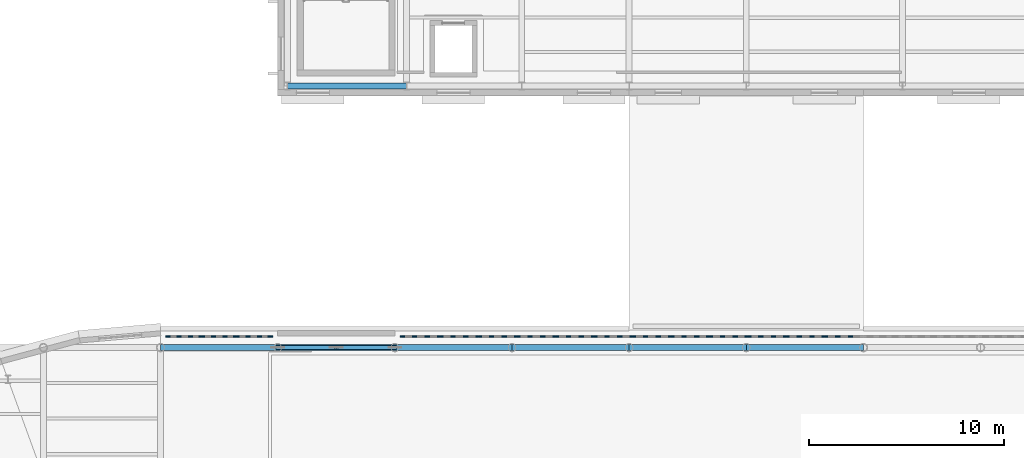
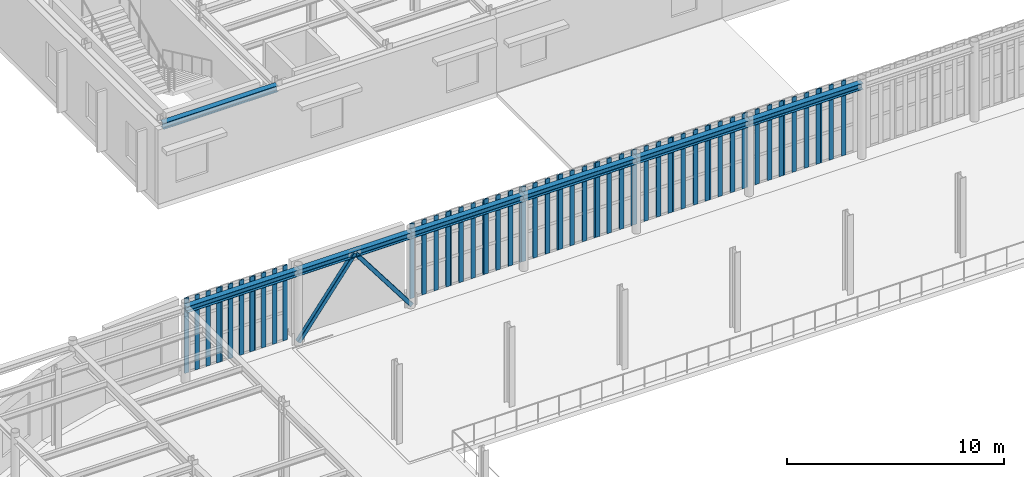
# One storey, part 28 of 91: 61 members, 7 beams, 15 elements without a shape of their own.
"""IFC4 building model written with IfcOpenShell, lengths in metres."""

from ifc_helpers import new_model, si_unit, direction, frame, origin, origin_2d, place, context, subcontext, project, spatial, rectangle, hollow_rectangle, i_section, extrude, material, material_profile, profile_set, type_object, element, aggregate, save


model = new_model("IFC4")

# Units and contexts
model_context = context("Model", 3, precision=1e-05, world=origin(), true_north=direction((0.0, 1.0)))
body_context = subcontext(model_context, "Body", "Model", "MODEL_VIEW")
ifc_project = project(units=[si_unit("LENGTHUNIT", "METRE"), si_unit("AREAUNIT", "SQUARE_METRE"), si_unit("VOLUMEUNIT", "CUBIC_METRE"), si_unit("PLANEANGLEUNIT", "RADIAN"), si_unit("MASSUNIT", "GRAM", prefix="KILO")], contexts=[model_context])

# Site, building, storey
site_placement = place(None, origin())
site = spatial("IfcSite", under=ifc_project, at=site_placement, CompositionType="ELEMENT")
building_placement = place(site_placement, origin())
building = spatial("IfcBuilding", under=site, at=building_placement, Name="Kolvaren Corner Interchange", CompositionType="ELEMENT")
storey_placement = place(building_placement, frame((0.0, 0.0, 6.0)))
storey = spatial("IfcBuildingStorey", under=building, at=storey_placement, Name="L02", CompositionType="ELEMENT", Elevation=6.0)

# Beams
ifc_material_1 = material(Name="Steel S355", Category="steel")
ifc_material_profile_1 = material_profile(ifc_material_1, i_section(OverallWidth=0.300048828125, OverallDepth=0.35009765625, WebThickness=0.010009765625, FlangeThickness=0.017578125, FilletRadius=0.027099609375, at=origin_2d()), Name="HEA 360")
ifc_profile_set_1 = profile_set([ifc_material_profile_1], Name="Steel S355")
beam_type = type_object("IfcBeamType", Name="BM-HEA360", PredefinedType="BEAM", material=ifc_profile_set_1)
for number, where, z_axis, x_axis, name in (
    (1, (60.0, 71.10009765625, 4.074951171875), (1.0, 0.0, 0.0), (0.0, 1.0, 0.0), "Storey L02 Grid X Primary Girder 0591"),
    (2, (66.0, 71.10009765625, 4.074951171875), (1.0, 0.0, 0.0), (0.0, 1.0, 0.0), "Storey L02 Grid X Primary Girder 0592"),
    (3, (72.0, 71.10009765625, 4.074951171875), (1.0, 0.0, 0.0), (0.0, 1.0, 0.0), "Storey L02 Grid X Primary Girder 0593"),
    (4, (78.0, 71.10009765625, 4.074951171875), (1.0, 0.0, 0.0), (0.0, 1.0, 0.0), "Storey L02 Grid X Primary Girder 0594"),
    (5, (84.0, 71.10009765625, 4.074951171875), (1.0, 0.0, 0.0), (0.0, 1.0, 0.0), "Storey L02 Grid X Primary Girder 0595"),
    (6, (90.0, 71.10009765625, 4.074951171875), (1.0, 0.0, 0.0), (0.0, 1.0, 0.0), "Storey L02 Grid X Primary Girder 0596"),
):
    element("IfcBeam", number, at=place(storey_placement, frame(where, z_axis=z_axis, x_axis=x_axis)), inside=storey, type_object=beam_type, Name=name, PredefinedType="BEAM", context=body_context, shape_type="SweptSolid", body=[
        extrude(i_section(OverallWidth=0.300048828125, OverallDepth=0.35009765625, WebThickness=0.010009765625, FlangeThickness=0.017578125, FilletRadius=0.027099609375, at=origin_2d()), origin(), (0.0, 0.0, 1.0), 6.0),
    ])
beam_placement = place(storey_placement, frame((66.5, 84.5, 4.0048828125), z_axis=(1.0, 0.0, 0.0), x_axis=(0.0, 1.0, 0.0)))
element("IfcBeam", 7, at=beam_placement, inside=storey, type_object=beam_type, Name="Storey L02 Grid X Primary Girder 0707", PredefinedType="BEAM", context=body_context, shape_type="SweptSolid", body=[
    extrude(i_section(OverallWidth=0.300048828125, OverallDepth=0.35009765625, WebThickness=0.010009765625, FlangeThickness=0.017578125, FilletRadius=0.027099609375, at=origin_2d()), origin(), (0.0, 0.0, 1.0), 6.10009765625),
])

# Members
ifc_material_2 = material(Name="Steel S355", Category="steel")
ifc_material_profile_2 = material_profile(ifc_material_2, hollow_rectangle(XDim=0.219970703125, YDim=0.219970703125, WallThickness=0.012451171875, InnerFilletRadius=0.012451171875, OuterFilletRadius=0.02490234375, at=origin_2d()), Name="SHS 220x220x12.5")
ifc_profile_set_2 = profile_set([ifc_material_profile_2], Name="Steel S355")
member_type_1 = type_object("IfcMemberType", Name="MEM-BR-SHS220", PredefinedType="BRACE", material=ifc_profile_set_2)
for number, where, z_axis, x_axis, name in (
    (8, (66.0, 71.10009765625, 0.1201171875), (0.604358493193, 0.0, 0.796712502541), (0.0, 1.0, 0.0), "Storey L02 Lateral Chevron Steel Brace 13 Left"),
    (9, (72.0, 71.10009765625, 0.1201171875), (-0.604358493193, 0.0, 0.796712502541), (0.0, -1.0, 0.0), "Storey L02 Lateral Chevron Steel Brace 13 Right"),
):
    element("IfcMember", number, at=place(storey_placement, frame(where, z_axis=z_axis, x_axis=x_axis)), inside=storey, type_object=member_type_1, Name=name, PredefinedType="BRACE", context=body_context, shape_type="SweptSolid", body=[
        extrude(hollow_rectangle(XDim=0.219970703125, YDim=0.219970703125, WallThickness=0.012451171875, InnerFilletRadius=0.012451171875, OuterFilletRadius=0.02490234375, at=origin_2d()), origin(), (0.0, 0.0, 1.0), 4.9638671875),
    ])

# Curtain wall, members
ifc_material_3 = material(Name="Unitised Aluminium and Solar-Control Glass Curtain Wall", Category="aluminium")
curtain_wall_type = type_object("IfcCurtainWallType", Name="CW-V1-NORTH", PredefinedType="NOTDEFINED", material=ifc_material_3)
curtain_wall_1_placement = place(storey_placement, origin())
curtain_wall_1 = element("IfcCurtainWall", 10, at=curtain_wall_1_placement, inside=storey, type_object=curtain_wall_type, Name="North Concourse West Curtain Wall Bay 01", PredefinedType="NOTDEFINED")
ifc_material_4 = material(Name="Anodised Aluminium Framing", Category="aluminium")
ifc_material_profile_3 = material_profile(ifc_material_4, rectangle(XDim=0.070068359375, YDim=0.239990234375, at=origin_2d()), Name="ALU 70x240")
ifc_profile_set_3 = profile_set([ifc_material_profile_3], Name="Anodised Aluminium Framing")
member_type_2 = type_object("IfcMemberType", Name="MUL-ALU70x240", PredefinedType="MULLION", material=ifc_profile_set_3)
member_1_placement = place(storey_placement, frame((65.614990234375, 71.659912109375, 0.0), z_axis=(0.0, 0.0, 1.0), x_axis=(0.0, -1.0, 0.0)))
member_1 = element("IfcMember", 11, at=member_1_placement, type_object=member_type_2, Name="CW-055 mullion 1", PredefinedType="MULLION", context=body_context, shape_type="SweptSolid", body=[
    extrude(rectangle(XDim=0.070068359375, YDim=0.239990234375, at=origin_2d()), origin(), (0.0, 0.0, 1.0), 4.219970703125),
])
member_2_placement = place(storey_placement, frame((65.06103515625, 71.659912109375, 0.0), z_axis=(0.0, 0.0, 1.0), x_axis=(0.0, -1.0, 0.0)))
member_2 = element("IfcMember", 12, at=member_2_placement, type_object=member_type_2, Name="CW-055 mullion 2", PredefinedType="MULLION", context=body_context, shape_type="SweptSolid", body=[
    extrude(rectangle(XDim=0.070068359375, YDim=0.239990234375, at=origin_2d()), origin(), (0.0, 0.0, 1.0), 4.219970703125),
])
member_3_placement = place(storey_placement, frame((64.47216796875, 71.659912109375, 0.0), z_axis=(0.0, 0.0, 1.0), x_axis=(0.0, -1.0, 0.0)))
member_3 = element("IfcMember", 13, at=member_3_placement, type_object=member_type_2, Name="CW-055 mullion 3", PredefinedType="MULLION", context=body_context, shape_type="SweptSolid", body=[
    extrude(rectangle(XDim=0.070068359375, YDim=0.239990234375, at=origin_2d()), origin(), (0.0, 0.0, 1.0), 4.219970703125),
])
member_4_placement = place(storey_placement, frame((63.918212890625, 71.659912109375, 0.0), z_axis=(0.0, 0.0, 1.0), x_axis=(0.0, -1.0, 0.0)))
member_4 = element("IfcMember", 14, at=member_4_placement, type_object=member_type_2, Name="CW-055 mullion 4", PredefinedType="MULLION", context=body_context, shape_type="SweptSolid", body=[
    extrude(rectangle(XDim=0.070068359375, YDim=0.239990234375, at=origin_2d()), origin(), (0.0, 0.0, 1.0), 4.219970703125),
])
aggregate(curtain_wall_1, [member_1, member_2, member_3, member_4])

curtain_wall_2_placement = place(storey_placement, origin())
curtain_wall_2 = element("IfcCurtainWall", 15, at=curtain_wall_2_placement, inside=storey, type_object=curtain_wall_type, Name="North Concourse West Curtain Wall Bay 02", PredefinedType="NOTDEFINED")
member_5_placement = place(storey_placement, frame((63.848388671875, 71.659912109375, 0.0), z_axis=(0.0, 0.0, 1.0), x_axis=(0.0, -1.0, 0.0)))
member_5 = element("IfcMember", 16, at=member_5_placement, type_object=member_type_2, Name="CW-056 mullion 1", PredefinedType="MULLION", context=body_context, shape_type="SweptSolid", body=[
    extrude(rectangle(XDim=0.070068359375, YDim=0.239990234375, at=origin_2d()), origin(), (0.0, 0.0, 1.0), 4.219970703125),
])
member_6_placement = place(storey_placement, frame((63.29443359375, 71.659912109375, 0.0), z_axis=(0.0, 0.0, 1.0), x_axis=(0.0, -1.0, 0.0)))
member_6 = element("IfcMember", 17, at=member_6_placement, type_object=member_type_2, Name="CW-056 mullion 2", PredefinedType="MULLION", context=body_context, shape_type="SweptSolid", body=[
    extrude(rectangle(XDim=0.070068359375, YDim=0.239990234375, at=origin_2d()), origin(), (0.0, 0.0, 1.0), 4.219970703125),
])
member_7_placement = place(storey_placement, frame((62.70556640625, 71.659912109375, 0.0), z_axis=(0.0, 0.0, 1.0), x_axis=(0.0, -1.0, 0.0)))
member_7 = element("IfcMember", 18, at=member_7_placement, type_object=member_type_2, Name="CW-056 mullion 3", PredefinedType="MULLION", context=body_context, shape_type="SweptSolid", body=[
    extrude(rectangle(XDim=0.070068359375, YDim=0.239990234375, at=origin_2d()), origin(), (0.0, 0.0, 1.0), 4.219970703125),
])
member_8_placement = place(storey_placement, frame((62.151611328125, 71.659912109375, 0.0), z_axis=(0.0, 0.0, 1.0), x_axis=(0.0, -1.0, 0.0)))
member_8 = element("IfcMember", 19, at=member_8_placement, type_object=member_type_2, Name="CW-056 mullion 4", PredefinedType="MULLION", context=body_context, shape_type="SweptSolid", body=[
    extrude(rectangle(XDim=0.070068359375, YDim=0.239990234375, at=origin_2d()), origin(), (0.0, 0.0, 1.0), 4.219970703125),
])
aggregate(curtain_wall_2, [member_5, member_6, member_7, member_8])

curtain_wall_3_placement = place(storey_placement, origin())
curtain_wall_3 = element("IfcCurtainWall", 20, at=curtain_wall_3_placement, inside=storey, type_object=curtain_wall_type, Name="North Concourse West Curtain Wall Bay 03", PredefinedType="NOTDEFINED")
member_9_placement = place(storey_placement, frame((62.081787109375, 71.659912109375, 0.0), z_axis=(0.0, 0.0, 1.0), x_axis=(0.0, -1.0, 0.0)))
member_9 = element("IfcMember", 21, at=member_9_placement, type_object=member_type_2, Name="CW-057 mullion 1", PredefinedType="MULLION", context=body_context, shape_type="SweptSolid", body=[
    extrude(rectangle(XDim=0.070068359375, YDim=0.239990234375, at=origin_2d()), origin(), (0.0, 0.0, 1.0), 4.219970703125),
])
member_10_placement = place(storey_placement, frame((61.52783203125, 71.659912109375, 0.0), z_axis=(0.0, 0.0, 1.0), x_axis=(0.0, -1.0, 0.0)))
member_10 = element("IfcMember", 22, at=member_10_placement, type_object=member_type_2, Name="CW-057 mullion 2", PredefinedType="MULLION", context=body_context, shape_type="SweptSolid", body=[
    extrude(rectangle(XDim=0.070068359375, YDim=0.239990234375, at=origin_2d()), origin(), (0.0, 0.0, 1.0), 4.219970703125),
])
member_11_placement = place(storey_placement, frame((60.93896484375, 71.659912109375, 0.0), z_axis=(0.0, 0.0, 1.0), x_axis=(0.0, -1.0, 0.0)))
member_11 = element("IfcMember", 23, at=member_11_placement, type_object=member_type_2, Name="CW-057 mullion 3", PredefinedType="MULLION", context=body_context, shape_type="SweptSolid", body=[
    extrude(rectangle(XDim=0.070068359375, YDim=0.239990234375, at=origin_2d()), origin(), (0.0, 0.0, 1.0), 4.219970703125),
])
member_12_placement = place(storey_placement, frame((60.385009765625, 71.659912109375, 0.0), z_axis=(0.0, 0.0, 1.0), x_axis=(0.0, -1.0, 0.0)))
member_12 = element("IfcMember", 24, at=member_12_placement, type_object=member_type_2, Name="CW-057 mullion 4", PredefinedType="MULLION", context=body_context, shape_type="SweptSolid", body=[
    extrude(rectangle(XDim=0.070068359375, YDim=0.239990234375, at=origin_2d()), origin(), (0.0, 0.0, 1.0), 4.219970703125),
])
aggregate(curtain_wall_3, [member_9, member_10, member_11, member_12])

curtain_wall_4_placement = place(storey_placement, origin())
curtain_wall_4 = element("IfcCurtainWall", 25, at=curtain_wall_4_placement, inside=storey, type_object=curtain_wall_type, Name="North Concourse Gallery Curtain Wall Bay 13", PredefinedType="NOTDEFINED")
member_13_placement = place(storey_placement, frame((95.343017578125, 71.659912109375, 0.0), z_axis=(0.0, 0.0, 1.0), x_axis=(0.0, -1.0, 0.0)))
member_13 = element("IfcMember", 26, at=member_13_placement, type_object=member_type_2, Name="CW-070 mullion 2", PredefinedType="MULLION", context=body_context, shape_type="SweptSolid", body=[
    extrude(rectangle(XDim=0.070068359375, YDim=0.239990234375, at=origin_2d()), origin(), (0.0, 0.0, 1.0), 4.219970703125),
])
member_14_placement = place(storey_placement, frame((94.68603515625, 71.659912109375, 0.0), z_axis=(0.0, 0.0, 1.0), x_axis=(0.0, -1.0, 0.0)))
member_14 = element("IfcMember", 27, at=member_14_placement, type_object=member_type_2, Name="CW-070 mullion 3", PredefinedType="MULLION", context=body_context, shape_type="SweptSolid", body=[
    extrude(rectangle(XDim=0.070068359375, YDim=0.239990234375, at=origin_2d()), origin(), (0.0, 0.0, 1.0), 4.219970703125),
])
member_15_placement = place(storey_placement, frame((94.064208984375, 71.659912109375, 0.0), z_axis=(0.0, 0.0, 1.0), x_axis=(0.0, -1.0, 0.0)))
member_15 = element("IfcMember", 28, at=member_15_placement, type_object=member_type_2, Name="CW-070 mullion 4", PredefinedType="MULLION", context=body_context, shape_type="SweptSolid", body=[
    extrude(rectangle(XDim=0.070068359375, YDim=0.239990234375, at=origin_2d()), origin(), (0.0, 0.0, 1.0), 4.219970703125),
])
aggregate(curtain_wall_4, [member_13, member_14, member_15])

curtain_wall_5_placement = place(storey_placement, origin())
curtain_wall_5 = element("IfcCurtainWall", 29, at=curtain_wall_5_placement, inside=storey, type_object=curtain_wall_type, Name="North Concourse Gallery Curtain Wall Bay 14", PredefinedType="NOTDEFINED")
member_16_placement = place(storey_placement, frame((93.994140625, 71.659912109375, 0.0), z_axis=(0.0, 0.0, 1.0), x_axis=(0.0, -1.0, 0.0)))
member_16 = element("IfcMember", 30, at=member_16_placement, type_object=member_type_2, Name="CW-071 mullion 1", PredefinedType="MULLION", context=body_context, shape_type="SweptSolid", body=[
    extrude(rectangle(XDim=0.070068359375, YDim=0.239990234375, at=origin_2d()), origin(), (0.0, 0.0, 1.0), 4.219970703125),
])
member_17_placement = place(storey_placement, frame((93.372314453125, 71.659912109375, 0.0), z_axis=(0.0, 0.0, 1.0), x_axis=(0.0, -1.0, 0.0)))
member_17 = element("IfcMember", 31, at=member_17_placement, type_object=member_type_2, Name="CW-071 mullion 2", PredefinedType="MULLION", context=body_context, shape_type="SweptSolid", body=[
    extrude(rectangle(XDim=0.070068359375, YDim=0.239990234375, at=origin_2d()), origin(), (0.0, 0.0, 1.0), 4.219970703125),
])
member_18_placement = place(storey_placement, frame((92.71533203125, 71.659912109375, 0.0), z_axis=(0.0, 0.0, 1.0), x_axis=(0.0, -1.0, 0.0)))
member_18 = element("IfcMember", 32, at=member_18_placement, type_object=member_type_2, Name="CW-071 mullion 3", PredefinedType="MULLION", context=body_context, shape_type="SweptSolid", body=[
    extrude(rectangle(XDim=0.070068359375, YDim=0.239990234375, at=origin_2d()), origin(), (0.0, 0.0, 1.0), 4.219970703125),
])
member_19_placement = place(storey_placement, frame((92.09326171875, 71.659912109375, 0.0), z_axis=(0.0, 0.0, 1.0), x_axis=(0.0, -1.0, 0.0)))
member_19 = element("IfcMember", 33, at=member_19_placement, type_object=member_type_2, Name="CW-071 mullion 4", PredefinedType="MULLION", context=body_context, shape_type="SweptSolid", body=[
    extrude(rectangle(XDim=0.070068359375, YDim=0.239990234375, at=origin_2d()), origin(), (0.0, 0.0, 1.0), 4.219970703125),
])
aggregate(curtain_wall_5, [member_16, member_17, member_18, member_19])

curtain_wall_6_placement = place(storey_placement, origin())
curtain_wall_6 = element("IfcCurtainWall", 34, at=curtain_wall_6_placement, inside=storey, type_object=curtain_wall_type, Name="North Concourse Gallery Curtain Wall Bay 15", PredefinedType="NOTDEFINED")
member_20_placement = place(storey_placement, frame((92.023193359375, 71.659912109375, 0.0), z_axis=(0.0, 0.0, 1.0), x_axis=(0.0, -1.0, 0.0)))
member_20 = element("IfcMember", 35, at=member_20_placement, type_object=member_type_2, Name="CW-072 mullion 1", PredefinedType="MULLION", context=body_context, shape_type="SweptSolid", body=[
    extrude(rectangle(XDim=0.070068359375, YDim=0.239990234375, at=origin_2d()), origin(), (0.0, 0.0, 1.0), 4.219970703125),
])
member_21_placement = place(storey_placement, frame((91.4013671875, 71.659912109375, 0.0), z_axis=(0.0, 0.0, 1.0), x_axis=(0.0, -1.0, 0.0)))
member_21 = element("IfcMember", 36, at=member_21_placement, type_object=member_type_2, Name="CW-072 mullion 2", PredefinedType="MULLION", context=body_context, shape_type="SweptSolid", body=[
    extrude(rectangle(XDim=0.070068359375, YDim=0.239990234375, at=origin_2d()), origin(), (0.0, 0.0, 1.0), 4.219970703125),
])
member_22_placement = place(storey_placement, frame((90.744384765625, 71.659912109375, 0.0), z_axis=(0.0, 0.0, 1.0), x_axis=(0.0, -1.0, 0.0)))
member_22 = element("IfcMember", 37, at=member_22_placement, type_object=member_type_2, Name="CW-072 mullion 3", PredefinedType="MULLION", context=body_context, shape_type="SweptSolid", body=[
    extrude(rectangle(XDim=0.070068359375, YDim=0.239990234375, at=origin_2d()), origin(), (0.0, 0.0, 1.0), 4.219970703125),
])
member_23_placement = place(storey_placement, frame((90.12255859375, 71.659912109375, 0.0), z_axis=(0.0, 0.0, 1.0), x_axis=(0.0, -1.0, 0.0)))
member_23 = element("IfcMember", 38, at=member_23_placement, type_object=member_type_2, Name="CW-072 mullion 4", PredefinedType="MULLION", context=body_context, shape_type="SweptSolid", body=[
    extrude(rectangle(XDim=0.070068359375, YDim=0.239990234375, at=origin_2d()), origin(), (0.0, 0.0, 1.0), 4.219970703125),
])
aggregate(curtain_wall_6, [member_20, member_21, member_22, member_23])

curtain_wall_7_placement = place(storey_placement, origin())
curtain_wall_7 = element("IfcCurtainWall", 39, at=curtain_wall_7_placement, inside=storey, type_object=curtain_wall_type, Name="North Concourse Gallery Curtain Wall Bay 16", PredefinedType="NOTDEFINED")
member_24_placement = place(storey_placement, frame((90.052490234375, 71.659912109375, 0.0), z_axis=(0.0, 0.0, 1.0), x_axis=(0.0, -1.0, 0.0)))
member_24 = element("IfcMember", 40, at=member_24_placement, type_object=member_type_2, Name="CW-073 mullion 1", PredefinedType="MULLION", context=body_context, shape_type="SweptSolid", body=[
    extrude(rectangle(XDim=0.070068359375, YDim=0.239990234375, at=origin_2d()), origin(), (0.0, 0.0, 1.0), 4.219970703125),
])
member_25_placement = place(storey_placement, frame((89.4306640625, 71.659912109375, 0.0), z_axis=(0.0, 0.0, 1.0), x_axis=(0.0, -1.0, 0.0)))
member_25 = element("IfcMember", 41, at=member_25_placement, type_object=member_type_2, Name="CW-073 mullion 2", PredefinedType="MULLION", context=body_context, shape_type="SweptSolid", body=[
    extrude(rectangle(XDim=0.070068359375, YDim=0.239990234375, at=origin_2d()), origin(), (0.0, 0.0, 1.0), 4.219970703125),
])
member_26_placement = place(storey_placement, frame((88.773681640625, 71.659912109375, 0.0), z_axis=(0.0, 0.0, 1.0), x_axis=(0.0, -1.0, 0.0)))
member_26 = element("IfcMember", 42, at=member_26_placement, type_object=member_type_2, Name="CW-073 mullion 3", PredefinedType="MULLION", context=body_context, shape_type="SweptSolid", body=[
    extrude(rectangle(XDim=0.070068359375, YDim=0.239990234375, at=origin_2d()), origin(), (0.0, 0.0, 1.0), 4.219970703125),
])
member_27_placement = place(storey_placement, frame((88.151611328125, 71.659912109375, 0.0), z_axis=(0.0, 0.0, 1.0), x_axis=(0.0, -1.0, 0.0)))
member_27 = element("IfcMember", 43, at=member_27_placement, type_object=member_type_2, Name="CW-073 mullion 4", PredefinedType="MULLION", context=body_context, shape_type="SweptSolid", body=[
    extrude(rectangle(XDim=0.070068359375, YDim=0.239990234375, at=origin_2d()), origin(), (0.0, 0.0, 1.0), 4.219970703125),
])
aggregate(curtain_wall_7, [member_24, member_25, member_26, member_27])

curtain_wall_8_placement = place(storey_placement, origin())
curtain_wall_8 = element("IfcCurtainWall", 44, at=curtain_wall_8_placement, inside=storey, type_object=curtain_wall_type, Name="North Concourse Gallery Curtain Wall Bay 17", PredefinedType="NOTDEFINED")
member_28_placement = place(storey_placement, frame((88.081787109375, 71.659912109375, 0.0), z_axis=(0.0, 0.0, 1.0), x_axis=(0.0, -1.0, 0.0)))
member_28 = element("IfcMember", 45, at=member_28_placement, type_object=member_type_2, Name="CW-074 mullion 1", PredefinedType="MULLION", context=body_context, shape_type="SweptSolid", body=[
    extrude(rectangle(XDim=0.070068359375, YDim=0.239990234375, at=origin_2d()), origin(), (0.0, 0.0, 1.0), 4.219970703125),
])
member_29_placement = place(storey_placement, frame((87.459716796875, 71.659912109375, 0.0), z_axis=(0.0, 0.0, 1.0), x_axis=(0.0, -1.0, 0.0)))
member_29 = element("IfcMember", 46, at=member_29_placement, type_object=member_type_2, Name="CW-074 mullion 2", PredefinedType="MULLION", context=body_context, shape_type="SweptSolid", body=[
    extrude(rectangle(XDim=0.070068359375, YDim=0.239990234375, at=origin_2d()), origin(), (0.0, 0.0, 1.0), 4.219970703125),
])
member_30_placement = place(storey_placement, frame((86.802734375, 71.659912109375, 0.0), z_axis=(0.0, 0.0, 1.0), x_axis=(0.0, -1.0, 0.0)))
member_30 = element("IfcMember", 47, at=member_30_placement, type_object=member_type_2, Name="CW-074 mullion 3", PredefinedType="MULLION", context=body_context, shape_type="SweptSolid", body=[
    extrude(rectangle(XDim=0.070068359375, YDim=0.239990234375, at=origin_2d()), origin(), (0.0, 0.0, 1.0), 4.219970703125),
])
member_31_placement = place(storey_placement, frame((86.180908203125, 71.659912109375, 0.0), z_axis=(0.0, 0.0, 1.0), x_axis=(0.0, -1.0, 0.0)))
member_31 = element("IfcMember", 48, at=member_31_placement, type_object=member_type_2, Name="CW-074 mullion 4", PredefinedType="MULLION", context=body_context, shape_type="SweptSolid", body=[
    extrude(rectangle(XDim=0.070068359375, YDim=0.239990234375, at=origin_2d()), origin(), (0.0, 0.0, 1.0), 4.219970703125),
])
aggregate(curtain_wall_8, [member_28, member_29, member_30, member_31])

curtain_wall_9_placement = place(storey_placement, origin())
curtain_wall_9 = element("IfcCurtainWall", 49, at=curtain_wall_9_placement, inside=storey, type_object=curtain_wall_type, Name="North Concourse Gallery Curtain Wall Bay 18", PredefinedType="NOTDEFINED")
member_32_placement = place(storey_placement, frame((86.11083984375, 71.659912109375, 0.0), z_axis=(0.0, 0.0, 1.0), x_axis=(0.0, -1.0, 0.0)))
member_32 = element("IfcMember", 50, at=member_32_placement, type_object=member_type_2, Name="CW-075 mullion 1", PredefinedType="MULLION", context=body_context, shape_type="SweptSolid", body=[
    extrude(rectangle(XDim=0.070068359375, YDim=0.239990234375, at=origin_2d()), origin(), (0.0, 0.0, 1.0), 4.219970703125),
])
member_33_placement = place(storey_placement, frame((85.48876953125, 71.659912109375, 0.0), z_axis=(0.0, 0.0, 1.0), x_axis=(0.0, -1.0, 0.0)))
member_33 = element("IfcMember", 51, at=member_33_placement, type_object=member_type_2, Name="CW-075 mullion 2", PredefinedType="MULLION", context=body_context, shape_type="SweptSolid", body=[
    extrude(rectangle(XDim=0.070068359375, YDim=0.239990234375, at=origin_2d()), origin(), (0.0, 0.0, 1.0), 4.219970703125),
])
member_34_placement = place(storey_placement, frame((84.83203125, 71.659912109375, 0.0), z_axis=(0.0, 0.0, 1.0), x_axis=(0.0, -1.0, 0.0)))
member_34 = element("IfcMember", 52, at=member_34_placement, type_object=member_type_2, Name="CW-075 mullion 3", PredefinedType="MULLION", context=body_context, shape_type="SweptSolid", body=[
    extrude(rectangle(XDim=0.070068359375, YDim=0.239990234375, at=origin_2d()), origin(), (0.0, 0.0, 1.0), 4.219970703125),
])
member_35_placement = place(storey_placement, frame((84.2099609375, 71.659912109375, 0.0), z_axis=(0.0, 0.0, 1.0), x_axis=(0.0, -1.0, 0.0)))
member_35 = element("IfcMember", 53, at=member_35_placement, type_object=member_type_2, Name="CW-075 mullion 4", PredefinedType="MULLION", context=body_context, shape_type="SweptSolid", body=[
    extrude(rectangle(XDim=0.070068359375, YDim=0.239990234375, at=origin_2d()), origin(), (0.0, 0.0, 1.0), 4.219970703125),
])
aggregate(curtain_wall_9, [member_32, member_33, member_34, member_35])

curtain_wall_10_placement = place(storey_placement, origin())
curtain_wall_10 = element("IfcCurtainWall", 54, at=curtain_wall_10_placement, inside=storey, type_object=curtain_wall_type, Name="North Concourse Gallery Curtain Wall Bay 19", PredefinedType="NOTDEFINED")
member_36_placement = place(storey_placement, frame((84.139892578125, 71.659912109375, 0.0), z_axis=(0.0, 0.0, 1.0), x_axis=(0.0, -1.0, 0.0)))
member_36 = element("IfcMember", 55, at=member_36_placement, type_object=member_type_2, Name="CW-076 mullion 1", PredefinedType="MULLION", context=body_context, shape_type="SweptSolid", body=[
    extrude(rectangle(XDim=0.070068359375, YDim=0.239990234375, at=origin_2d()), origin(), (0.0, 0.0, 1.0), 4.219970703125),
])
member_37_placement = place(storey_placement, frame((83.51806640625, 71.659912109375, 0.0), z_axis=(0.0, 0.0, 1.0), x_axis=(0.0, -1.0, 0.0)))
member_37 = element("IfcMember", 56, at=member_37_placement, type_object=member_type_2, Name="CW-076 mullion 2", PredefinedType="MULLION", context=body_context, shape_type="SweptSolid", body=[
    extrude(rectangle(XDim=0.070068359375, YDim=0.239990234375, at=origin_2d()), origin(), (0.0, 0.0, 1.0), 4.219970703125),
])
member_38_placement = place(storey_placement, frame((82.861083984375, 71.659912109375, 0.0), z_axis=(0.0, 0.0, 1.0), x_axis=(0.0, -1.0, 0.0)))
member_38 = element("IfcMember", 57, at=member_38_placement, type_object=member_type_2, Name="CW-076 mullion 3", PredefinedType="MULLION", context=body_context, shape_type="SweptSolid", body=[
    extrude(rectangle(XDim=0.070068359375, YDim=0.239990234375, at=origin_2d()), origin(), (0.0, 0.0, 1.0), 4.219970703125),
])
member_39_placement = place(storey_placement, frame((82.2392578125, 71.659912109375, 0.0), z_axis=(0.0, 0.0, 1.0), x_axis=(0.0, -1.0, 0.0)))
member_39 = element("IfcMember", 58, at=member_39_placement, type_object=member_type_2, Name="CW-076 mullion 4", PredefinedType="MULLION", context=body_context, shape_type="SweptSolid", body=[
    extrude(rectangle(XDim=0.070068359375, YDim=0.239990234375, at=origin_2d()), origin(), (0.0, 0.0, 1.0), 4.219970703125),
])
aggregate(curtain_wall_10, [member_36, member_37, member_38, member_39])

curtain_wall_11_placement = place(storey_placement, origin())
curtain_wall_11 = element("IfcCurtainWall", 59, at=curtain_wall_11_placement, inside=storey, type_object=curtain_wall_type, Name="North Concourse Gallery Curtain Wall Bay 20", PredefinedType="NOTDEFINED")
member_40_placement = place(storey_placement, frame((82.169189453125, 71.659912109375, 0.0), z_axis=(0.0, 0.0, 1.0), x_axis=(0.0, -1.0, 0.0)))
member_40 = element("IfcMember", 60, at=member_40_placement, type_object=member_type_2, Name="CW-077 mullion 1", PredefinedType="MULLION", context=body_context, shape_type="SweptSolid", body=[
    extrude(rectangle(XDim=0.070068359375, YDim=0.239990234375, at=origin_2d()), origin(), (0.0, 0.0, 1.0), 4.219970703125),
])
member_41_placement = place(storey_placement, frame((81.547119140625, 71.659912109375, 0.0), z_axis=(0.0, 0.0, 1.0), x_axis=(0.0, -1.0, 0.0)))
member_41 = element("IfcMember", 61, at=member_41_placement, type_object=member_type_2, Name="CW-077 mullion 2", PredefinedType="MULLION", context=body_context, shape_type="SweptSolid", body=[
    extrude(rectangle(XDim=0.070068359375, YDim=0.239990234375, at=origin_2d()), origin(), (0.0, 0.0, 1.0), 4.219970703125),
])
member_42_placement = place(storey_placement, frame((80.890380859375, 71.659912109375, 0.0), z_axis=(0.0, 0.0, 1.0), x_axis=(0.0, -1.0, 0.0)))
member_42 = element("IfcMember", 62, at=member_42_placement, type_object=member_type_2, Name="CW-077 mullion 3", PredefinedType="MULLION", context=body_context, shape_type="SweptSolid", body=[
    extrude(rectangle(XDim=0.070068359375, YDim=0.239990234375, at=origin_2d()), origin(), (0.0, 0.0, 1.0), 4.219970703125),
])
member_43_placement = place(storey_placement, frame((80.268310546875, 71.659912109375, 0.0), z_axis=(0.0, 0.0, 1.0), x_axis=(0.0, -1.0, 0.0)))
member_43 = element("IfcMember", 63, at=member_43_placement, type_object=member_type_2, Name="CW-077 mullion 4", PredefinedType="MULLION", context=body_context, shape_type="SweptSolid", body=[
    extrude(rectangle(XDim=0.070068359375, YDim=0.239990234375, at=origin_2d()), origin(), (0.0, 0.0, 1.0), 4.219970703125),
])
aggregate(curtain_wall_11, [member_40, member_41, member_42, member_43])

curtain_wall_12_placement = place(storey_placement, origin())
curtain_wall_12 = element("IfcCurtainWall", 64, at=curtain_wall_12_placement, inside=storey, type_object=curtain_wall_type, Name="North Concourse Gallery Curtain Wall Bay 21", PredefinedType="NOTDEFINED")
member_44_placement = place(storey_placement, frame((80.1982421875, 71.659912109375, 0.0), z_axis=(0.0, 0.0, 1.0), x_axis=(0.0, -1.0, 0.0)))
member_44 = element("IfcMember", 65, at=member_44_placement, type_object=member_type_2, Name="CW-078 mullion 1", PredefinedType="MULLION", context=body_context, shape_type="SweptSolid", body=[
    extrude(rectangle(XDim=0.070068359375, YDim=0.239990234375, at=origin_2d()), origin(), (0.0, 0.0, 1.0), 4.219970703125),
])
member_45_placement = place(storey_placement, frame((79.576416015625, 71.659912109375, 0.0), z_axis=(0.0, 0.0, 1.0), x_axis=(0.0, -1.0, 0.0)))
member_45 = element("IfcMember", 66, at=member_45_placement, type_object=member_type_2, Name="CW-078 mullion 2", PredefinedType="MULLION", context=body_context, shape_type="SweptSolid", body=[
    extrude(rectangle(XDim=0.070068359375, YDim=0.239990234375, at=origin_2d()), origin(), (0.0, 0.0, 1.0), 4.219970703125),
])
member_46_placement = place(storey_placement, frame((78.91943359375, 71.659912109375, 0.0), z_axis=(0.0, 0.0, 1.0), x_axis=(0.0, -1.0, 0.0)))
member_46 = element("IfcMember", 67, at=member_46_placement, type_object=member_type_2, Name="CW-078 mullion 3", PredefinedType="MULLION", context=body_context, shape_type="SweptSolid", body=[
    extrude(rectangle(XDim=0.070068359375, YDim=0.239990234375, at=origin_2d()), origin(), (0.0, 0.0, 1.0), 4.219970703125),
])
member_47_placement = place(storey_placement, frame((78.297607421875, 71.659912109375, 0.0), z_axis=(0.0, 0.0, 1.0), x_axis=(0.0, -1.0, 0.0)))
member_47 = element("IfcMember", 68, at=member_47_placement, type_object=member_type_2, Name="CW-078 mullion 4", PredefinedType="MULLION", context=body_context, shape_type="SweptSolid", body=[
    extrude(rectangle(XDim=0.070068359375, YDim=0.239990234375, at=origin_2d()), origin(), (0.0, 0.0, 1.0), 4.219970703125),
])
aggregate(curtain_wall_12, [member_44, member_45, member_46, member_47])

curtain_wall_13_placement = place(storey_placement, origin())
curtain_wall_13 = element("IfcCurtainWall", 69, at=curtain_wall_13_placement, inside=storey, type_object=curtain_wall_type, Name="North Concourse Gallery Curtain Wall Bay 22", PredefinedType="NOTDEFINED")
member_48_placement = place(storey_placement, frame((78.2275390625, 71.659912109375, 0.0), z_axis=(0.0, 0.0, 1.0), x_axis=(0.0, -1.0, 0.0)))
member_48 = element("IfcMember", 70, at=member_48_placement, type_object=member_type_2, Name="CW-079 mullion 1", PredefinedType="MULLION", context=body_context, shape_type="SweptSolid", body=[
    extrude(rectangle(XDim=0.070068359375, YDim=0.239990234375, at=origin_2d()), origin(), (0.0, 0.0, 1.0), 4.219970703125),
])
member_49_placement = place(storey_placement, frame((77.60546875, 71.659912109375, 0.0), z_axis=(0.0, 0.0, 1.0), x_axis=(0.0, -1.0, 0.0)))
member_49 = element("IfcMember", 71, at=member_49_placement, type_object=member_type_2, Name="CW-079 mullion 2", PredefinedType="MULLION", context=body_context, shape_type="SweptSolid", body=[
    extrude(rectangle(XDim=0.070068359375, YDim=0.239990234375, at=origin_2d()), origin(), (0.0, 0.0, 1.0), 4.219970703125),
])
member_50_placement = place(storey_placement, frame((76.94873046875, 71.659912109375, 0.0), z_axis=(0.0, 0.0, 1.0), x_axis=(0.0, -1.0, 0.0)))
member_50 = element("IfcMember", 72, at=member_50_placement, type_object=member_type_2, Name="CW-079 mullion 3", PredefinedType="MULLION", context=body_context, shape_type="SweptSolid", body=[
    extrude(rectangle(XDim=0.070068359375, YDim=0.239990234375, at=origin_2d()), origin(), (0.0, 0.0, 1.0), 4.219970703125),
])
member_51_placement = place(storey_placement, frame((76.32666015625, 71.659912109375, 0.0), z_axis=(0.0, 0.0, 1.0), x_axis=(0.0, -1.0, 0.0)))
member_51 = element("IfcMember", 73, at=member_51_placement, type_object=member_type_2, Name="CW-079 mullion 4", PredefinedType="MULLION", context=body_context, shape_type="SweptSolid", body=[
    extrude(rectangle(XDim=0.070068359375, YDim=0.239990234375, at=origin_2d()), origin(), (0.0, 0.0, 1.0), 4.219970703125),
])
aggregate(curtain_wall_13, [member_48, member_49, member_50, member_51])

curtain_wall_14_placement = place(storey_placement, origin())
curtain_wall_14 = element("IfcCurtainWall", 74, at=curtain_wall_14_placement, inside=storey, type_object=curtain_wall_type, Name="North Concourse Gallery Curtain Wall Bay 23", PredefinedType="NOTDEFINED")
member_52_placement = place(storey_placement, frame((76.256591796875, 71.659912109375, 0.0), z_axis=(0.0, 0.0, 1.0), x_axis=(0.0, -1.0, 0.0)))
member_52 = element("IfcMember", 75, at=member_52_placement, type_object=member_type_2, Name="CW-080 mullion 1", PredefinedType="MULLION", context=body_context, shape_type="SweptSolid", body=[
    extrude(rectangle(XDim=0.070068359375, YDim=0.239990234375, at=origin_2d()), origin(), (0.0, 0.0, 1.0), 4.219970703125),
])
member_53_placement = place(storey_placement, frame((75.634765625, 71.659912109375, 0.0), z_axis=(0.0, 0.0, 1.0), x_axis=(0.0, -1.0, 0.0)))
member_53 = element("IfcMember", 76, at=member_53_placement, type_object=member_type_2, Name="CW-080 mullion 2", PredefinedType="MULLION", context=body_context, shape_type="SweptSolid", body=[
    extrude(rectangle(XDim=0.070068359375, YDim=0.239990234375, at=origin_2d()), origin(), (0.0, 0.0, 1.0), 4.219970703125),
])
member_54_placement = place(storey_placement, frame((74.977783203125, 71.659912109375, 0.0), z_axis=(0.0, 0.0, 1.0), x_axis=(0.0, -1.0, 0.0)))
member_54 = element("IfcMember", 77, at=member_54_placement, type_object=member_type_2, Name="CW-080 mullion 3", PredefinedType="MULLION", context=body_context, shape_type="SweptSolid", body=[
    extrude(rectangle(XDim=0.070068359375, YDim=0.239990234375, at=origin_2d()), origin(), (0.0, 0.0, 1.0), 4.219970703125),
])
member_55_placement = place(storey_placement, frame((74.355712890625, 71.659912109375, 0.0), z_axis=(0.0, 0.0, 1.0), x_axis=(0.0, -1.0, 0.0)))
member_55 = element("IfcMember", 78, at=member_55_placement, type_object=member_type_2, Name="CW-080 mullion 4", PredefinedType="MULLION", context=body_context, shape_type="SweptSolid", body=[
    extrude(rectangle(XDim=0.070068359375, YDim=0.239990234375, at=origin_2d()), origin(), (0.0, 0.0, 1.0), 4.219970703125),
])
aggregate(curtain_wall_14, [member_52, member_53, member_54, member_55])

curtain_wall_15_placement = place(storey_placement, origin())
curtain_wall_15 = element("IfcCurtainWall", 79, at=curtain_wall_15_placement, inside=storey, type_object=curtain_wall_type, Name="North Concourse Gallery Curtain Wall Bay 24", PredefinedType="NOTDEFINED")
member_56_placement = place(storey_placement, frame((74.285888671875, 71.659912109375, 0.0), z_axis=(0.0, 0.0, 1.0), x_axis=(0.0, -1.0, 0.0)))
member_56 = element("IfcMember", 80, at=member_56_placement, type_object=member_type_2, Name="CW-081 mullion 1", PredefinedType="MULLION", context=body_context, shape_type="SweptSolid", body=[
    extrude(rectangle(XDim=0.070068359375, YDim=0.239990234375, at=origin_2d()), origin(), (0.0, 0.0, 1.0), 4.219970703125),
])
member_57_placement = place(storey_placement, frame((73.663818359375, 71.659912109375, 0.0), z_axis=(0.0, 0.0, 1.0), x_axis=(0.0, -1.0, 0.0)))
member_57 = element("IfcMember", 81, at=member_57_placement, type_object=member_type_2, Name="CW-081 mullion 2", PredefinedType="MULLION", context=body_context, shape_type="SweptSolid", body=[
    extrude(rectangle(XDim=0.070068359375, YDim=0.239990234375, at=origin_2d()), origin(), (0.0, 0.0, 1.0), 4.219970703125),
])
member_58_placement = place(storey_placement, frame((73.0068359375, 71.659912109375, 0.0), z_axis=(0.0, 0.0, 1.0), x_axis=(0.0, -1.0, 0.0)))
member_58 = element("IfcMember", 82, at=member_58_placement, type_object=member_type_2, Name="CW-081 mullion 3", PredefinedType="MULLION", context=body_context, shape_type="SweptSolid", body=[
    extrude(rectangle(XDim=0.070068359375, YDim=0.239990234375, at=origin_2d()), origin(), (0.0, 0.0, 1.0), 4.219970703125),
])
member_59_placement = place(storey_placement, frame((72.385009765625, 71.659912109375, 0.0), z_axis=(0.0, 0.0, 1.0), x_axis=(0.0, -1.0, 0.0)))
member_59 = element("IfcMember", 83, at=member_59_placement, type_object=member_type_2, Name="CW-081 mullion 4", PredefinedType="MULLION", context=body_context, shape_type="SweptSolid", body=[
    extrude(rectangle(XDim=0.070068359375, YDim=0.239990234375, at=origin_2d()), origin(), (0.0, 0.0, 1.0), 4.219970703125),
])
aggregate(curtain_wall_15, [member_56, member_57, member_58, member_59])

save(model, "model.ifc")
